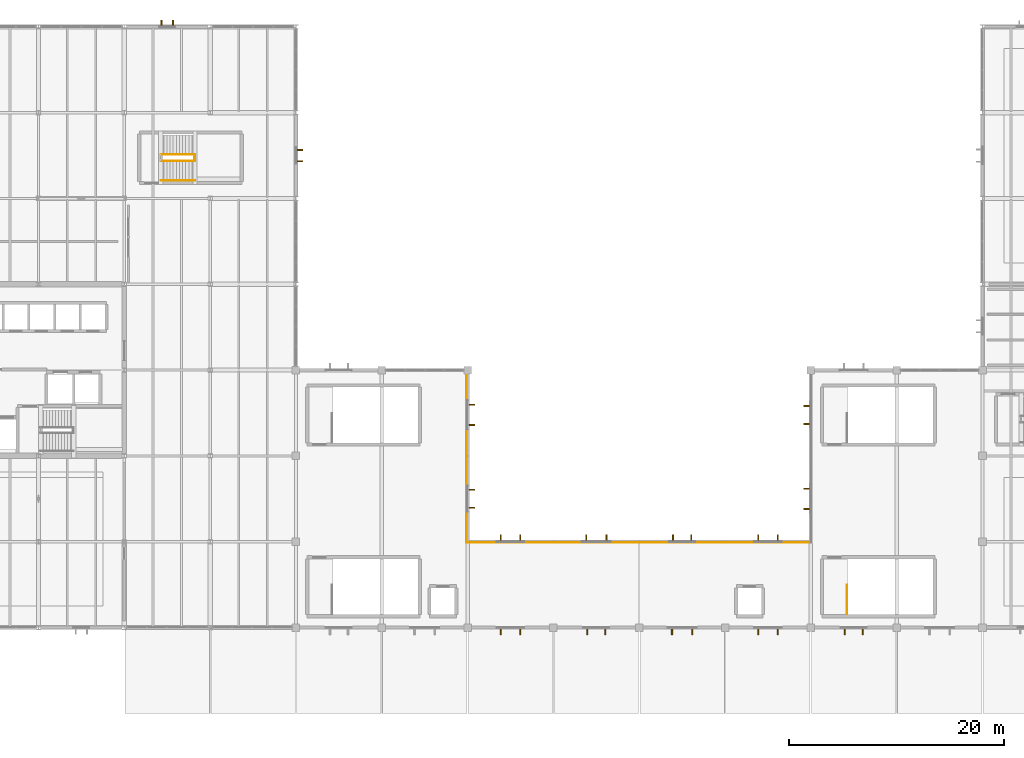
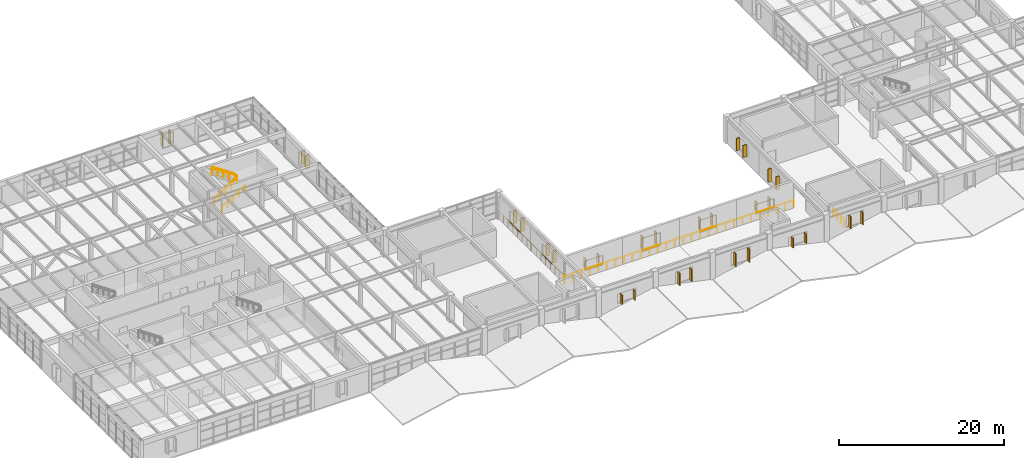
# One storey, part 46 of 48: 30 shading devices, 8 railings.
"""IFC4 building model written with IfcOpenShell, lengths in metres."""

from ifc_helpers import new_model, si_unit, direction, frame, origin, origin_2d, place, context, subcontext, project, spatial, rectangle, circle, extrude, material, type_object, element, save


model = new_model("IFC4")

# Units and contexts
model_context = context("Model", 3, precision=1e-05, world=origin(), true_north=direction((0.0, 1.0)))
body_context = subcontext(model_context, "Body", "Model", "MODEL_VIEW")
ifc_project = project(units=[si_unit("LENGTHUNIT", "METRE"), si_unit("AREAUNIT", "SQUARE_METRE"), si_unit("VOLUMEUNIT", "CUBIC_METRE"), si_unit("PLANEANGLEUNIT", "RADIAN"), si_unit("MASSUNIT", "GRAM", prefix="KILO")], contexts=[model_context])

# Site, building, storey
site_placement = place(None, origin())
site = spatial("IfcSite", under=ifc_project, at=site_placement, CompositionType="ELEMENT")
building_placement = place(site_placement, origin())
building = spatial("IfcBuilding", under=site, at=building_placement, Name="Varnela Railside Interchange", CompositionType="ELEMENT")
storey_placement = place(building_placement, frame((0.0, 0.0, 11.199951171875)))
storey = spatial("IfcBuildingStorey", under=building, at=storey_placement, Name="L02", CompositionType="ELEMENT", Elevation=11.199951171875)

# Railings
ifc_material_1 = material(Name="Glass laminated double", Category="glass")
railing_type_1 = type_object("IfcRailingType", Name="Concourse Atrium Balustrade BL-01", PredefinedType="BALUSTRADE", material=ifc_material_1)
railing_1_placement = place(storey_placement, frame((67.919921875, 61.8798828125, 0.0)))
element("IfcRailing", 1, at=railing_1_placement, inside=storey, type_object=railing_type_1, Name="Concourse Atrium West Balustrade (L02) (RL-0355)", PredefinedType="BALUSTRADE", context=body_context, shape_type="SweptSolid", body=[
    extrude(circle(Radius=0.02392578125, at=origin_2d()), frame((0.0, 0.0, 1.09619140625), z_axis=(0.0, -1.0, 0.0), x_axis=(1.0, 0.0, 0.0)), (0.0, 0.0, 1.0), 15.9599609375),
    extrude(circle(Radius=0.02099609375, at=origin_2d()), origin(), (0.0, 0.0, 1.0), 1.072021484375),
    extrude(circle(Radius=0.02099609375, at=origin_2d()), frame((0.0, -1.139892578125, 0.0)), (0.0, 0.0, 1.0), 1.072021484375),
    extrude(circle(Radius=0.02099609375, at=origin_2d()), frame((0.0, -2.280029296875, 0.0)), (0.0, 0.0, 1.0), 1.072021484375),
    extrude(circle(Radius=0.02099609375, at=origin_2d()), frame((0.0, -3.419921875, 0.0)), (0.0, 0.0, 1.0), 1.072021484375),
    extrude(circle(Radius=0.02099609375, at=origin_2d()), frame((0.0, -4.56005859375, 0.0)), (0.0, 0.0, 1.0), 1.072021484375),
    extrude(circle(Radius=0.02099609375, at=origin_2d()), frame((0.0, -5.699951171875, 0.0)), (0.0, 0.0, 1.0), 1.072021484375),
    extrude(circle(Radius=0.02099609375, at=origin_2d()), frame((0.0, -6.840087890625, 0.0)), (0.0, 0.0, 1.0), 1.072021484375),
    extrude(circle(Radius=0.02099609375, at=origin_2d()), frame((0.0, -7.97998046875, 0.0)), (0.0, 0.0, 1.0), 1.072021484375),
    extrude(circle(Radius=0.02099609375, at=origin_2d()), frame((0.0, -9.119873046875, 0.0)), (0.0, 0.0, 1.0), 1.072021484375),
    extrude(circle(Radius=0.02099609375, at=origin_2d()), frame((0.0, -10.260009765625, 0.0)), (0.0, 0.0, 1.0), 1.072021484375),
    extrude(circle(Radius=0.02099609375, at=origin_2d()), frame((0.0, -11.39990234375, 0.0)), (0.0, 0.0, 1.0), 1.072021484375),
    extrude(circle(Radius=0.02099609375, at=origin_2d()), frame((0.0, -12.5400390625, 0.0)), (0.0, 0.0, 1.0), 1.072021484375),
    extrude(circle(Radius=0.02099609375, at=origin_2d()), frame((0.0, -13.679931640625, 0.0)), (0.0, 0.0, 1.0), 1.072021484375),
    extrude(circle(Radius=0.02099609375, at=origin_2d()), frame((0.0, -14.820068359375, 0.0)), (0.0, 0.0, 1.0), 1.072021484375),
    extrude(circle(Radius=0.02099609375, at=origin_2d()), frame((0.0, -15.9599609375, 0.0)), (0.0, 0.0, 1.0), 1.072021484375),
])
railing_2_placement = place(storey_placement, frame((67.919921875, 45.919921875, 0.0)))
element("IfcRailing", 2, at=railing_2_placement, inside=storey, type_object=railing_type_1, Name="Concourse Atrium South Balustrade (L02) (RL-0354)", PredefinedType="BALUSTRADE", context=body_context, shape_type="SweptSolid", body=[
    extrude(circle(Radius=0.02392578125, at=origin_2d()), frame((0.0, 0.0, 1.09619140625), z_axis=(1.0, 0.0, 0.0), x_axis=(0.0, 1.0, 0.0)), (0.0, 0.0, 1.0), 32.16015625),
    extrude(circle(Radius=0.02099609375, at=origin_2d()), origin(), (0.0, 0.0, 1.0), 1.072021484375),
    extrude(circle(Radius=0.02099609375, at=origin_2d()), frame((1.191162109375, 0.0, 0.0)), (0.0, 0.0, 1.0), 1.072021484375),
    extrude(circle(Radius=0.02099609375, at=origin_2d()), frame((2.38232421875, 0.0, 0.0)), (0.0, 0.0, 1.0), 1.072021484375),
    extrude(circle(Radius=0.02099609375, at=origin_2d()), frame((3.5732421875, 0.0, 0.0)), (0.0, 0.0, 1.0), 1.072021484375),
    extrude(circle(Radius=0.02099609375, at=origin_2d()), frame((4.764404296875, 0.0, 0.0)), (0.0, 0.0, 1.0), 1.072021484375),
    extrude(circle(Radius=0.02099609375, at=origin_2d()), frame((5.95556640625, 0.0, 0.0)), (0.0, 0.0, 1.0), 1.072021484375),
    extrude(circle(Radius=0.02099609375, at=origin_2d()), frame((7.146728515625, 0.0, 0.0)), (0.0, 0.0, 1.0), 1.072021484375),
    extrude(circle(Radius=0.02099609375, at=origin_2d()), frame((8.337890625, 0.0, 0.0)), (0.0, 0.0, 1.0), 1.072021484375),
    extrude(circle(Radius=0.02099609375, at=origin_2d()), frame((9.529052734375, 0.0, 0.0)), (0.0, 0.0, 1.0), 1.072021484375),
    extrude(circle(Radius=0.02099609375, at=origin_2d()), frame((10.719970703125, 0.0, 0.0)), (0.0, 0.0, 1.0), 1.072021484375),
    extrude(circle(Radius=0.02099609375, at=origin_2d()), frame((11.9111328125, 0.0, 0.0)), (0.0, 0.0, 1.0), 1.072021484375),
    extrude(circle(Radius=0.02099609375, at=origin_2d()), frame((13.102294921875, 0.0, 0.0)), (0.0, 0.0, 1.0), 1.072021484375),
    extrude(circle(Radius=0.02099609375, at=origin_2d()), frame((14.29345703125, 0.0, 0.0)), (0.0, 0.0, 1.0), 1.072021484375),
    extrude(circle(Radius=0.02099609375, at=origin_2d()), frame((15.484619140625, 0.0, 0.0)), (0.0, 0.0, 1.0), 1.072021484375),
    extrude(circle(Radius=0.02099609375, at=origin_2d()), frame((16.675537109375, 0.0, 0.0)), (0.0, 0.0, 1.0), 1.072021484375),
    extrude(circle(Radius=0.02099609375, at=origin_2d()), frame((17.86669921875, 0.0, 0.0)), (0.0, 0.0, 1.0), 1.072021484375),
    extrude(circle(Radius=0.02099609375, at=origin_2d()), frame((19.057861328125, 0.0, 0.0)), (0.0, 0.0, 1.0), 1.072021484375),
    extrude(circle(Radius=0.02099609375, at=origin_2d()), frame((20.2490234375, 0.0, 0.0)), (0.0, 0.0, 1.0), 1.072021484375),
    extrude(circle(Radius=0.02099609375, at=origin_2d()), frame((21.440185546875, 0.0, 0.0)), (0.0, 0.0, 1.0), 1.072021484375),
    extrude(circle(Radius=0.02099609375, at=origin_2d()), frame((22.631103515625, 0.0, 0.0)), (0.0, 0.0, 1.0), 1.072021484375),
    extrude(circle(Radius=0.02099609375, at=origin_2d()), frame((23.822265625, 0.0, 0.0)), (0.0, 0.0, 1.0), 1.072021484375),
    extrude(circle(Radius=0.02099609375, at=origin_2d()), frame((25.013427734375, 0.0, 0.0)), (0.0, 0.0, 1.0), 1.072021484375),
    extrude(circle(Radius=0.02099609375, at=origin_2d()), frame((26.20458984375, 0.0, 0.0)), (0.0, 0.0, 1.0), 1.072021484375),
    extrude(circle(Radius=0.02099609375, at=origin_2d()), frame((27.395751953125, 0.0, 0.0)), (0.0, 0.0, 1.0), 1.072021484375),
    extrude(circle(Radius=0.02099609375, at=origin_2d()), frame((28.5869140625, 0.0, 0.0)), (0.0, 0.0, 1.0), 1.072021484375),
    extrude(circle(Radius=0.02099609375, at=origin_2d()), frame((29.77783203125, 0.0, 0.0)), (0.0, 0.0, 1.0), 1.072021484375),
    extrude(circle(Radius=0.02099609375, at=origin_2d()), frame((30.968994140625, 0.0, 0.0)), (0.0, 0.0, 1.0), 1.072021484375),
    extrude(circle(Radius=0.02099609375, at=origin_2d()), frame((32.16015625, 0.0, 0.0)), (0.0, 0.0, 1.0), 1.072021484375),
])

# Shading devices
ifc_material_2 = material(Name="Concrete C40 precast", Category="concrete")
shading_device_type = type_object("IfcShadingDeviceType", Name="Paulista Vertical Brise-Soleil BS-01", PredefinedType="USERDEFINED", material=ifc_material_2)
for number, where, z_axis, x_axis, name in (
    (3, (39.47509765625, 94.385009765625, 0.949951171875), (0.0, 0.0, 1.0), (0.0, 1.0, 0.0), "Paulista Vertical Brise-Soleil BS-01 (L02)"),
    (4, (40.52490234375, 94.385009765625, 0.949951171875), (0.0, 0.0, 1.0), (0.0, 1.0, 0.0), "Paulista Vertical Brise-Soleil BS-01 (L02)"),
    (5, (52.385009765625, 82.52490234375, 0.949951171875), (0.0, 0.0, 1.0), (1.0, 0.0, 0.0), "Paulista Vertical Brise-Soleil BS-01 (L02)"),
    (6, (52.385009765625, 81.47509765625, 0.949951171875), (0.0, 0.0, 1.0), (1.0, 0.0, 0.0), "Paulista Vertical Brise-Soleil BS-01 (L02)"),
):
    element("IfcShadingDevice", number, at=place(storey_placement, frame(where, z_axis=z_axis, x_axis=x_axis)), inside=storey, type_object=shading_device_type, Name=name, ObjectType="FIN", PredefinedType="USERDEFINED", context=body_context, shape_type="SweptSolid", body=[
        extrude(rectangle(XDim=0.5, YDim=0.1201171875, at=origin_2d()), origin(), (0.0, 0.0, 1.0), 2.0),
    ])
for number, where, z_axis, x_axis, name in (
    (7, (68.405029296875, 58.77001953125, 0.9501953125), (0.0, 0.0, 1.0), (1.0, 0.0, 0.0), "Paulista Vertical Brise-Soleil BS-01 (L02)"),
    (8, (68.405029296875, 56.8798828125, 0.9501953125), (0.0, 0.0, 1.0), (1.0, 0.0, 0.0), "Paulista Vertical Brise-Soleil BS-01 (L02)"),
):
    element("IfcShadingDevice", number, at=place(storey_placement, frame(where, z_axis=z_axis, x_axis=x_axis)), inside=storey, type_object=shading_device_type, Name=name, ObjectType="FIN", PredefinedType="USERDEFINED", context=body_context, shape_type="SweptSolid", body=[
        extrude(rectangle(XDim=0.5, YDim=0.1201171875, at=origin_2d()), origin(), (0.0, 0.0, 1.0), 1.949951171875),
    ])
for number, where, z_axis, x_axis, name in (
    (9, (68.405029296875, 50.840087890625, 0.9501953125), (0.0, 0.0, 1.0), (1.0, 0.0, 0.0), "Paulista Vertical Brise-Soleil BS-01 (L02)"),
    (10, (68.405029296875, 49.159912109375, 0.9501953125), (0.0, 0.0, 1.0), (1.0, 0.0, 0.0), "Paulista Vertical Brise-Soleil BS-01 (L02)"),
):
    element("IfcShadingDevice", number, at=place(storey_placement, frame(where, z_axis=z_axis, x_axis=x_axis)), inside=storey, type_object=shading_device_type, Name=name, ObjectType="FIN", PredefinedType="USERDEFINED", context=body_context, shape_type="SweptSolid", body=[
        extrude(rectangle(XDim=0.5, YDim=0.1201171875, at=origin_2d()), origin(), (0.0, 0.0, 1.0), 1.800048828125),
    ])
for number, where, z_axis, x_axis, name in (
    (11, (71.090087890625, 46.405029296875, 0.9501953125), (0.0, 0.0, 1.0), (0.0, 1.0, 0.0), "Paulista Vertical Brise-Soleil BS-01 (L02)"),
    (12, (72.909912109375, 46.405029296875, 0.9501953125), (0.0, 0.0, 1.0), (0.0, 1.0, 0.0), "Paulista Vertical Brise-Soleil BS-01 (L02)"),
):
    element("IfcShadingDevice", number, at=place(storey_placement, frame(where, z_axis=z_axis, x_axis=x_axis)), inside=storey, type_object=shading_device_type, Name=name, ObjectType="FIN", PredefinedType="USERDEFINED", context=body_context, shape_type="SweptSolid", body=[
        extrude(rectangle(XDim=0.5, YDim=0.1201171875, at=origin_2d()), origin(), (0.0, 0.0, 1.0), 1.39990234375),
    ])
for number, where, z_axis, x_axis, name in (
    (13, (79.054931640625, 46.405029296875, 0.9501953125), (0.0, 0.0, 1.0), (0.0, 1.0, 0.0), "Paulista Vertical Brise-Soleil BS-01 (L02)"),
    (14, (80.945068359375, 46.405029296875, 0.9501953125), (0.0, 0.0, 1.0), (0.0, 1.0, 0.0), "Paulista Vertical Brise-Soleil BS-01 (L02)"),
):
    element("IfcShadingDevice", number, at=place(storey_placement, frame(where, z_axis=z_axis, x_axis=x_axis)), inside=storey, type_object=shading_device_type, Name=name, ObjectType="FIN", PredefinedType="USERDEFINED", context=body_context, shape_type="SweptSolid", body=[
        extrude(rectangle(XDim=0.5, YDim=0.1201171875, at=origin_2d()), origin(), (0.0, 0.0, 1.0), 1.949951171875),
    ])
for number, where, z_axis, x_axis, name in (
    (15, (87.159912109375, 46.405029296875, 0.9501953125), (0.0, 0.0, 1.0), (0.0, 1.0, 0.0), "Paulista Vertical Brise-Soleil BS-01 (L02)"),
    (16, (88.840087890625, 46.405029296875, 0.9501953125), (0.0, 0.0, 1.0), (0.0, 1.0, 0.0), "Paulista Vertical Brise-Soleil BS-01 (L02)"),
):
    element("IfcShadingDevice", number, at=place(storey_placement, frame(where, z_axis=z_axis, x_axis=x_axis)), inside=storey, type_object=shading_device_type, Name=name, ObjectType="FIN", PredefinedType="USERDEFINED", context=body_context, shape_type="SweptSolid", body=[
        extrude(rectangle(XDim=0.5, YDim=0.1201171875, at=origin_2d()), origin(), (0.0, 0.0, 1.0), 1.800048828125),
    ])
for number, where, z_axis, x_axis, name in (
    (17, (95.090087890625, 46.405029296875, 0.9501953125), (0.0, 0.0, 1.0), (0.0, 1.0, 0.0), "Paulista Vertical Brise-Soleil BS-01 (L02)"),
    (18, (96.909912109375, 46.405029296875, 0.9501953125), (0.0, 0.0, 1.0), (0.0, 1.0, 0.0), "Paulista Vertical Brise-Soleil BS-01 (L02)"),
):
    element("IfcShadingDevice", number, at=place(storey_placement, frame(where, z_axis=z_axis, x_axis=x_axis)), inside=storey, type_object=shading_device_type, Name=name, ObjectType="FIN", PredefinedType="USERDEFINED", context=body_context, shape_type="SweptSolid", body=[
        extrude(rectangle(XDim=0.5, YDim=0.1201171875, at=origin_2d()), origin(), (0.0, 0.0, 1.0), 1.39990234375),
    ])
for number, where, z_axis, x_axis, name in (
    (19, (99.594970703125, 49.054931640625, 0.9501953125), (0.0, 0.0, 1.0), (-1.0, 0.0, 0.0), "Paulista Vertical Brise-Soleil BS-01 (L02)"),
    (20, (99.594970703125, 50.945068359375, 0.9501953125), (0.0, 0.0, 1.0), (-1.0, 0.0, 0.0), "Paulista Vertical Brise-Soleil BS-01 (L02)"),
):
    element("IfcShadingDevice", number, at=place(storey_placement, frame(where, z_axis=z_axis, x_axis=x_axis)), inside=storey, type_object=shading_device_type, Name=name, ObjectType="FIN", PredefinedType="USERDEFINED", context=body_context, shape_type="SweptSolid", body=[
        extrude(rectangle(XDim=0.5, YDim=0.1201171875, at=origin_2d()), origin(), (0.0, 0.0, 1.0), 1.949951171875),
    ])
for number, where, z_axis, x_axis, name in (
    (21, (99.594970703125, 56.985107421875, 0.9501953125), (0.0, 0.0, 1.0), (-1.0, 0.0, 0.0), "Paulista Vertical Brise-Soleil BS-01 (L02)"),
    (22, (99.594970703125, 58.6650390625, 0.9501953125), (0.0, 0.0, 1.0), (-1.0, 0.0, 0.0), "Paulista Vertical Brise-Soleil BS-01 (L02)"),
    (23, (104.840087890625, 37.594970703125, 0.9501953125), (0.0, 0.0, 1.0), (0.0, -1.0, 0.0), "Paulista Vertical Brise-Soleil BS-01 (L02)"),
    (24, (103.159912109375, 37.594970703125, 0.9501953125), (0.0, 0.0, 1.0), (0.0, -1.0, 0.0), "Paulista Vertical Brise-Soleil BS-01 (L02)"),
):
    element("IfcShadingDevice", number, at=place(storey_placement, frame(where, z_axis=z_axis, x_axis=x_axis)), inside=storey, type_object=shading_device_type, Name=name, ObjectType="FIN", PredefinedType="USERDEFINED", context=body_context, shape_type="SweptSolid", body=[
        extrude(rectangle(XDim=0.5, YDim=0.1201171875, at=origin_2d()), origin(), (0.0, 0.0, 1.0), 1.800048828125),
    ])
for number, where, z_axis, x_axis, name in (
    (25, (96.909912109375, 37.594970703125, 0.9501953125), (0.0, 0.0, 1.0), (0.0, -1.0, 0.0), "Paulista Vertical Brise-Soleil BS-01 (L02)"),
    (26, (95.090087890625, 37.594970703125, 0.9501953125), (0.0, 0.0, 1.0), (0.0, -1.0, 0.0), "Paulista Vertical Brise-Soleil BS-01 (L02)"),
):
    element("IfcShadingDevice", number, at=place(storey_placement, frame(where, z_axis=z_axis, x_axis=x_axis)), inside=storey, type_object=shading_device_type, Name=name, ObjectType="FIN", PredefinedType="USERDEFINED", context=body_context, shape_type="SweptSolid", body=[
        extrude(rectangle(XDim=0.5, YDim=0.1201171875, at=origin_2d()), origin(), (0.0, 0.0, 1.0), 1.39990234375),
    ])
for number, where, z_axis, x_axis, name in (
    (27, (88.945068359375, 37.594970703125, 0.9501953125), (0.0, 0.0, 1.0), (0.0, -1.0, 0.0), "Paulista Vertical Brise-Soleil BS-01 (L02)"),
    (28, (87.054931640625, 37.594970703125, 0.9501953125), (0.0, 0.0, 1.0), (0.0, -1.0, 0.0), "Paulista Vertical Brise-Soleil BS-01 (L02)"),
):
    element("IfcShadingDevice", number, at=place(storey_placement, frame(where, z_axis=z_axis, x_axis=x_axis)), inside=storey, type_object=shading_device_type, Name=name, ObjectType="FIN", PredefinedType="USERDEFINED", context=body_context, shape_type="SweptSolid", body=[
        extrude(rectangle(XDim=0.5, YDim=0.1201171875, at=origin_2d()), origin(), (0.0, 0.0, 1.0), 1.949951171875),
    ])
for number, where, z_axis, x_axis, name in (
    (29, (80.840087890625, 37.594970703125, 0.9501953125), (0.0, 0.0, 1.0), (0.0, -1.0, 0.0), "Paulista Vertical Brise-Soleil BS-01 (L02)"),
    (30, (79.159912109375, 37.594970703125, 0.9501953125), (0.0, 0.0, 1.0), (0.0, -1.0, 0.0), "Paulista Vertical Brise-Soleil BS-01 (L02)"),
):
    element("IfcShadingDevice", number, at=place(storey_placement, frame(where, z_axis=z_axis, x_axis=x_axis)), inside=storey, type_object=shading_device_type, Name=name, ObjectType="FIN", PredefinedType="USERDEFINED", context=body_context, shape_type="SweptSolid", body=[
        extrude(rectangle(XDim=0.5, YDim=0.1201171875, at=origin_2d()), origin(), (0.0, 0.0, 1.0), 1.800048828125),
    ])
for number, where, z_axis, x_axis, name in (
    (31, (72.909912109375, 37.594970703125, 0.9501953125), (0.0, 0.0, 1.0), (0.0, -1.0, 0.0), "Paulista Vertical Brise-Soleil BS-01 (L02)"),
    (32, (71.090087890625, 37.594970703125, 0.9501953125), (0.0, 0.0, 1.0), (0.0, -1.0, 0.0), "Paulista Vertical Brise-Soleil BS-01 (L02)"),
):
    element("IfcShadingDevice", number, at=place(storey_placement, frame(where, z_axis=z_axis, x_axis=x_axis)), inside=storey, type_object=shading_device_type, Name=name, ObjectType="FIN", PredefinedType="USERDEFINED", context=body_context, shape_type="SweptSolid", body=[
        extrude(rectangle(XDim=0.5, YDim=0.1201171875, at=origin_2d()), origin(), (0.0, 0.0, 1.0), 1.39990234375),
    ])

# Railings
ifc_material_3 = material(Name="Steel AR 350 (350 MPa)", Category="steel")
railing_type_2 = type_object("IfcRailingType", Name="Stair & Ramp Pitch Handrail HR-01", PredefinedType="HANDRAIL", material=ifc_material_3)
railing_3_placement = place(storey_placement, frame((39.39990234375, 81.5, 0.0)))
element("IfcRailing", 33, at=railing_3_placement, inside=storey, type_object=railing_type_2, Name="Stair Handrail ST-W1 Flight 1 (RL-0366)", PredefinedType="HANDRAIL", context=body_context, shape_type="SweptSolid", body=[
    extrude(circle(Radius=0.02392578125, at=origin_2d()), frame((0.0, 0.0, 0.89599609375), z_axis=(0.835261802243, 0.0, 0.549852454495), x_axis=(0.0, 1.0, 0.0)), (0.0, 0.0, 1.0), 3.8193359375),
    extrude(circle(Radius=0.02099609375, at=origin_2d()), origin(), (0.0, 0.0, 1.0), 0.871826171875),
    extrude(circle(Radius=0.02099609375, at=origin_2d()), frame((0.797607421875, 0.0, 0.52490234375)), (0.0, 0.0, 1.0), 0.871826171875),
    extrude(circle(Radius=0.02099609375, at=origin_2d()), frame((1.59521484375, 0.0, 1.050048828125)), (0.0, 0.0, 1.0), 0.871826171875),
    extrude(circle(Radius=0.02099609375, at=origin_2d()), frame((2.392578125, 0.0, 1.5751953125)), (0.0, 0.0, 1.0), 0.871826171875),
    extrude(circle(Radius=0.02099609375, at=origin_2d()), frame((3.190185546875, 0.0, 2.10009765625)), (0.0, 0.0, 1.0), 0.871826171875),
])
railing_4_placement = place(storey_placement, frame((42.590087890625, 82.10009765625, 2.10009765625)))
element("IfcRailing", 34, at=railing_4_placement, inside=storey, type_object=railing_type_2, Name="Stair Handrail ST-W1 Flight 2 (RL-0367)", PredefinedType="HANDRAIL", context=body_context, shape_type="SweptSolid", body=[
    extrude(circle(Radius=0.02392578125, at=origin_2d()), frame((0.0, 0.0, 0.89599609375), z_axis=(-0.835291159344, 0.0, 0.549807856548), x_axis=(0.0, -1.0, 0.0)), (0.0, 0.0, 1.0), 3.8193359375),
    extrude(circle(Radius=0.02099609375, at=origin_2d()), origin(), (0.0, 0.0, 1.0), 0.871826171875),
    extrude(circle(Radius=0.02099609375, at=origin_2d()), frame((-0.797607421875, 0.0, 0.52490234375)), (0.0, 0.0, 1.0), 0.871826171875),
    extrude(circle(Radius=0.02099609375, at=origin_2d()), frame((-1.59521484375, 0.0, 1.0498046875)), (0.0, 0.0, 1.0), 0.871826171875),
    extrude(circle(Radius=0.02099609375, at=origin_2d()), frame((-2.392578125, 0.0, 1.574951171875)), (0.0, 0.0, 1.0), 0.871826171875),
    extrude(circle(Radius=0.02099609375, at=origin_2d()), frame((-3.190185546875, 0.0, 2.099853515625)), (0.0, 0.0, 1.0), 0.871826171875),
])
railing_type_3 = type_object("IfcRailingType", Name="Stair Well & Landing Guard GR-02", PredefinedType="GUARDRAIL", material=ifc_material_3)
railing_5_placement = place(storey_placement, frame((103.360107421875, 39.260009765625, 0.0)))
element("IfcRailing", 35, at=railing_5_placement, inside=storey, type_object=railing_type_3, Name="Stair Well Arrival Guard ST-C2 on L02 (RL-0331)", PredefinedType="GUARDRAIL", context=body_context, shape_type="SweptSolid", body=[
    extrude(circle(Radius=0.02392578125, at=origin_2d()), frame((0.0, 0.0, 1.09619140625), z_axis=(0.0, 1.0, 0.0), x_axis=(-1.0, 0.0, 0.0)), (0.0, 0.0, 1.0), 2.68994140625),
    extrude(circle(Radius=0.02099609375, at=origin_2d()), origin(), (0.0, 0.0, 1.0), 1.072021484375),
    extrude(circle(Radius=0.02099609375, at=origin_2d()), frame((0.0, 0.896728515625, 0.0)), (0.0, 0.0, 1.0), 1.072021484375),
    extrude(circle(Radius=0.02099609375, at=origin_2d()), frame((0.0, 1.793212890625, 0.0)), (0.0, 0.0, 1.0), 1.072021484375),
    extrude(circle(Radius=0.02099609375, at=origin_2d()), frame((0.0, 2.68994140625, 0.0)), (0.0, 0.0, 1.0), 1.072021484375),
])
railing_6_placement = place(storey_placement, frame((39.39990234375, 81.5, 0.0)))
element("IfcRailing", 36, at=railing_6_placement, inside=storey, type_object=railing_type_3, Name="Stair Guard ST-W1 Half-Landing (RL-0350)", PredefinedType="GUARDRAIL", context=body_context, shape_type="SweptSolid", body=[
    extrude(circle(Radius=0.02392578125, at=origin_2d()), frame((0.0, 0.0, 1.09619140625), z_axis=(0.835261802243, 0.0, 0.549852454495), x_axis=(0.0, 1.0, 0.0)), (0.0, 0.0, 1.0), 3.8193359375),
    extrude(circle(Radius=0.02392578125, at=origin_2d()), frame((3.190185546875, 0.0, 3.1962890625), z_axis=(0.0, 1.0, 0.0), x_axis=(-1.0, 0.0, 0.0)), (0.0, 0.0, 1.0), 0.60009765625),
    extrude(circle(Radius=0.02099609375, at=origin_2d()), origin(), (0.0, 0.0, 1.0), 1.072021484375),
    extrude(circle(Radius=0.02099609375, at=origin_2d()), frame((0.797607421875, 0.0, 0.52490234375)), (0.0, 0.0, 1.0), 1.072021484375),
    extrude(circle(Radius=0.02099609375, at=origin_2d()), frame((1.59521484375, 0.0, 1.050048828125)), (0.0, 0.0, 1.0), 1.072021484375),
    extrude(circle(Radius=0.02099609375, at=origin_2d()), frame((2.392578125, 0.0, 1.5751953125)), (0.0, 0.0, 1.0), 1.072021484375),
    extrude(circle(Radius=0.02099609375, at=origin_2d()), frame((3.190185546875, 0.0, 2.10009765625)), (0.0, 0.0, 1.0), 1.072021484375),
    extrude(circle(Radius=0.02099609375, at=origin_2d()), frame((3.190185546875, 0.60009765625, 2.10009765625)), (0.0, 0.0, 1.0), 1.072021484375),
])
railing_7_placement = place(storey_placement, frame((42.590087890625, 82.10009765625, 2.10009765625)))
element("IfcRailing", 37, at=railing_7_placement, inside=storey, type_object=railing_type_3, Name="Stair Guard ST-W1 Upper Flight (RL-0351)", PredefinedType="GUARDRAIL", context=body_context, shape_type="SweptSolid", body=[
    extrude(circle(Radius=0.02392578125, at=origin_2d()), frame((0.0, 0.0, 1.09619140625), z_axis=(-0.835291159344, 0.0, 0.549807856548), x_axis=(0.0, -1.0, 0.0)), (0.0, 0.0, 1.0), 3.8193359375),
    extrude(circle(Radius=0.02099609375, at=origin_2d()), origin(), (0.0, 0.0, 1.0), 1.072021484375),
    extrude(circle(Radius=0.02099609375, at=origin_2d()), frame((-0.797607421875, 0.0, 0.52490234375)), (0.0, 0.0, 1.0), 1.072021484375),
    extrude(circle(Radius=0.02099609375, at=origin_2d()), frame((-1.59521484375, 0.0, 1.0498046875)), (0.0, 0.0, 1.0), 1.072021484375),
    extrude(circle(Radius=0.02099609375, at=origin_2d()), frame((-2.392578125, 0.0, 1.574951171875)), (0.0, 0.0, 1.0), 1.072021484375),
    extrude(circle(Radius=0.02099609375, at=origin_2d()), frame((-3.190185546875, 0.0, 2.099853515625)), (0.0, 0.0, 1.0), 1.072021484375),
])
railing_type_4 = type_object("IfcRailingType", Name="Wall-Mounted Stair Handrail HR-02", PredefinedType="HANDRAIL", material=ifc_material_3)
railing_8_placement = place(storey_placement, frame((39.39990234375, 79.659912109375, 0.0)))
element("IfcRailing", 38, at=railing_8_placement, inside=storey, type_object=railing_type_4, Name="Wall Handrail ST-W1 Flight 1 (RL-0373)", PredefinedType="HANDRAIL", context=body_context, shape_type="SweptSolid", body=[
    extrude(circle(Radius=0.02392578125, at=origin_2d()), frame((0.0, 0.0, 0.89599609375), z_axis=(0.835261802243, 0.0, 0.549852454495), x_axis=(0.0, 1.0, 0.0)), (0.0, 0.0, 1.0), 3.8193359375),
    extrude(circle(Radius=0.02099609375, at=origin_2d()), origin(), (0.0, 0.0, 1.0), 0.871826171875),
    extrude(circle(Radius=0.02099609375, at=origin_2d()), frame((0.797607421875, 0.0, 0.52490234375)), (0.0, 0.0, 1.0), 0.871826171875),
    extrude(circle(Radius=0.02099609375, at=origin_2d()), frame((1.59521484375, 0.0, 1.050048828125)), (0.0, 0.0, 1.0), 0.871826171875),
    extrude(circle(Radius=0.02099609375, at=origin_2d()), frame((2.392578125, 0.0, 1.5751953125)), (0.0, 0.0, 1.0), 0.871826171875),
    extrude(circle(Radius=0.02099609375, at=origin_2d()), frame((3.190185546875, 0.0, 2.10009765625)), (0.0, 0.0, 1.0), 0.871826171875),
])

save(model, "model.ifc")
